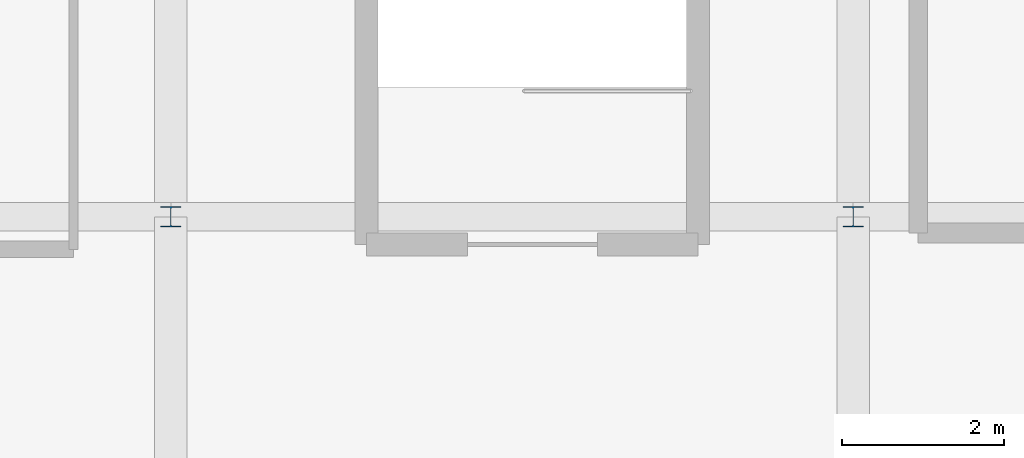
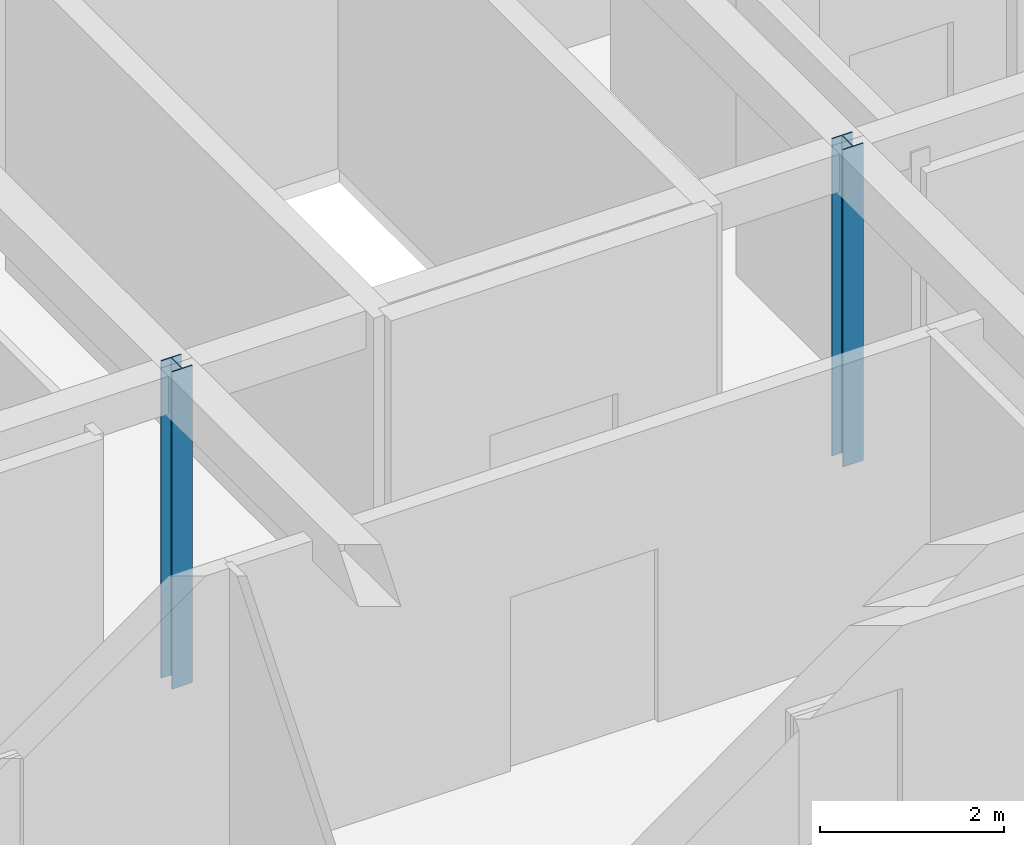
# One storey, part 4 of 22: 2 columns.
"""IFC4 building model written with IfcOpenShell, lengths in metres."""

from ifc_helpers import new_model, si_unit, direction, frame, origin, origin_2d, place, context, subcontext, project, spatial, i_section, extrude, material, material_profile, profile_set, type_object, element, save


model = new_model("IFC4")

# Units and contexts
model_context = context("Model", 3, precision=1e-05, world=origin(), true_north=direction((0.0, 1.0)))
body_context = subcontext(model_context, "Body", "Model", "MODEL_VIEW")
ifc_project = project(units=[si_unit("LENGTHUNIT", "METRE"), si_unit("AREAUNIT", "SQUARE_METRE"), si_unit("VOLUMEUNIT", "CUBIC_METRE"), si_unit("PLANEANGLEUNIT", "RADIAN"), si_unit("MASSUNIT", "GRAM", prefix="KILO")], contexts=[model_context])

# Site, building, storey
site_placement = place(None, origin())
site = spatial("IfcSite", under=ifc_project, at=site_placement, CompositionType="ELEMENT")
building_placement = place(site_placement, origin())
building = spatial("IfcBuilding", under=site, at=building_placement, Name="Varncliffe General Hospital", CompositionType="ELEMENT")
storey_placement = place(building_placement, frame((0.0, 0.0, 33.0)))
storey = spatial("IfcBuildingStorey", under=building, at=storey_placement, Name="L07", CompositionType="ELEMENT", Elevation=33.0)

# Columns
ifc_material = material(Name="Steel S355 (CSA G40.21 350W)", Category="steel")
ifc_material_profile = material_profile(ifc_material, i_section(OverallWidth=0.25390625, OverallDepth=0.2529296875, WebThickness=0.008544921875, FlangeThickness=0.01416015625, FilletRadius=0.012939453125, at=origin_2d()), Name="W250x73")
ifc_profile_set = profile_set([ifc_material_profile], Name="Steel S355 (CSA G40.21 350W)")
column_type = type_object("IfcColumnType", Name="Column C75 (Int W250x73)", PredefinedType="COLUMN", material=ifc_profile_set)
for number, where, z_axis, x_axis, name in (
    (1, (117.60009765625, 116.39990234375, 0.0), (0.0, 0.0, 1.0), (1.0, 0.0, 0.0), "L07 Column C75"),
    (2, (126.0, 116.39990234375, 0.0), (0.0, 0.0, 1.0), (1.0, 0.0, 0.0), "L07 Column C75"),
):
    element("IfcColumn", number, at=place(storey_placement, frame(where, z_axis=z_axis, x_axis=x_axis)), inside=storey, type_object=column_type, Name=name, PredefinedType="COLUMN", context=body_context, shape_type="SweptSolid", body=[
        extrude(i_section(OverallWidth=0.25390625, OverallDepth=0.2529296875, WebThickness=0.008544921875, FlangeThickness=0.01416015625, FilletRadius=0.012939453125, at=origin_2d()), origin(), (0.0, 0.0, 1.0), 4.199951171875),
    ])

save(model, "model.ifc")
